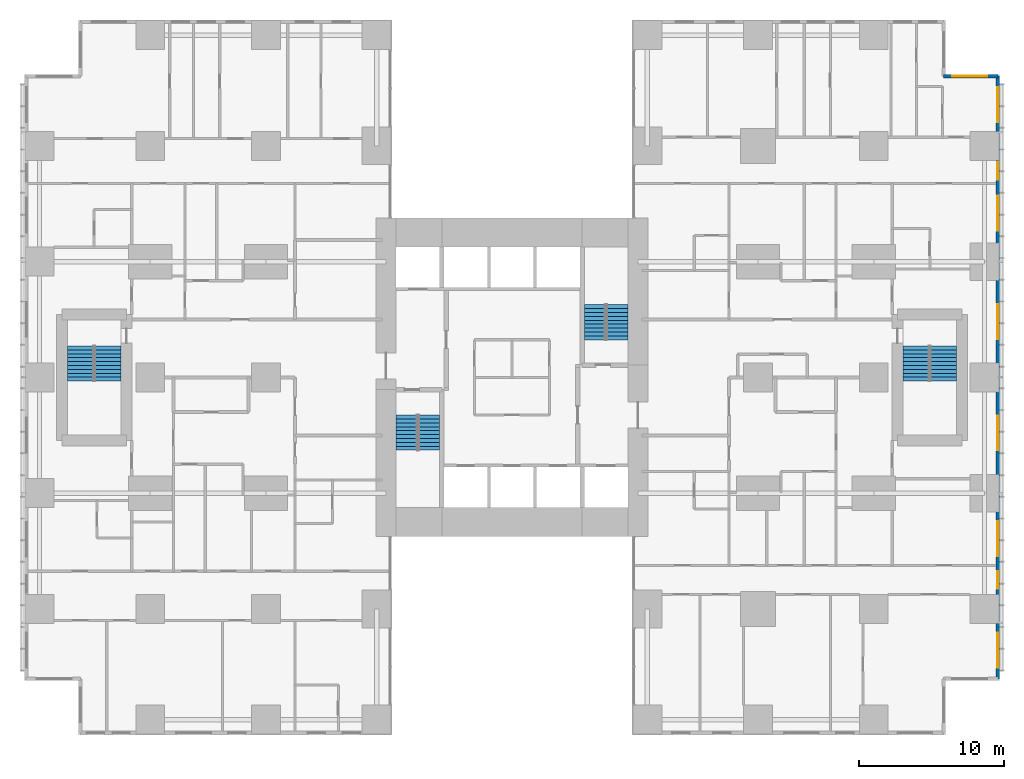
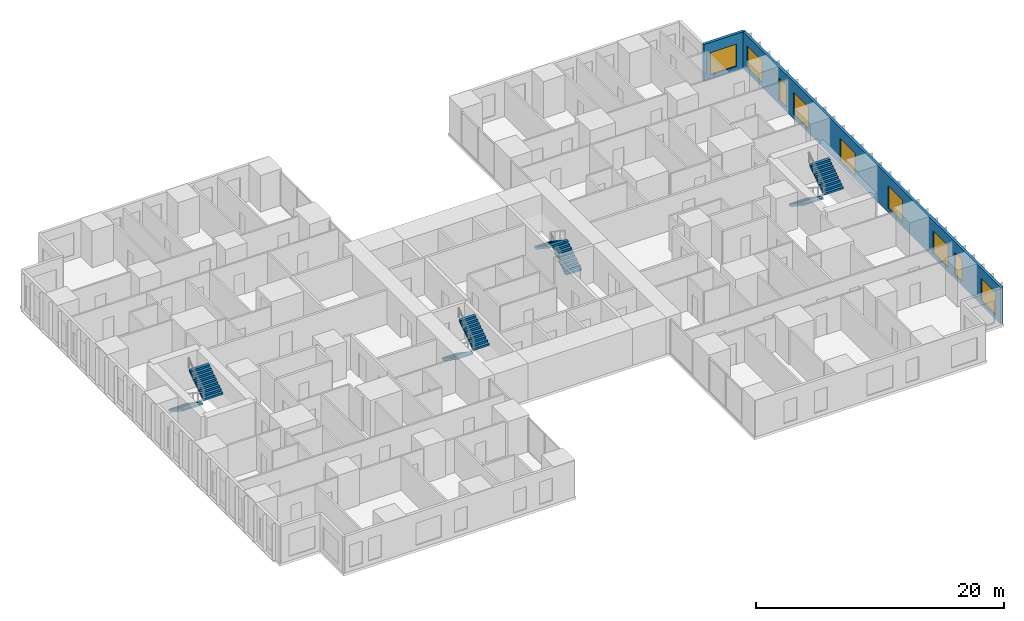
# One storey, part 19 of 20: 9 windows, 8 stair flights, 2 walls, 9 openings, 4 elements without a shape of their own.
"""IFC4 building model written with IfcOpenShell, lengths in metres."""

from ifc_helpers import new_model, si_unit, direction, frame, frame_2d, origin, place, context, subcontext, project, spatial, polyline, rectangle, outline, extrude, material, layer, layer_set, type_object, element, fill, aggregate, save


model = new_model("IFC4")

# Units and contexts
model_context = context("Model", 3, precision=1e-05, world=origin(), true_north=direction((0.0, 1.0)))
body_context = subcontext(model_context, "Body", "Model", "MODEL_VIEW")
ifc_project = project(units=[si_unit("LENGTHUNIT", "METRE"), si_unit("AREAUNIT", "SQUARE_METRE"), si_unit("VOLUMEUNIT", "CUBIC_METRE"), si_unit("PLANEANGLEUNIT", "RADIAN"), si_unit("MASSUNIT", "GRAM", prefix="KILO")], contexts=[model_context])

# Site, building, storey
site_placement = place(None, origin())
site = spatial("IfcSite", under=ifc_project, at=site_placement, CompositionType="ELEMENT")
building_placement = place(site_placement, origin())
building = spatial("IfcBuilding", under=site, at=building_placement, Name="Cleftline Residences", CompositionType="ELEMENT")
storey_placement = place(building_placement, frame((0.0, 0.0, 164.60009765625)))
storey = spatial("IfcBuildingStorey", under=building, at=storey_placement, Name="L43", CompositionType="ELEMENT", Elevation=164.60009765625)

# Wall, openings, windows
ifc_material_1 = material(Name="Rendered reinforced concrete blockwork", Category="masonry")
ifc_layer = layer(ifc_material_1, 0.25)
ifc_layer_set = layer_set([ifc_layer], Name="EXTERNAL WALL 250")
wall_type = type_object("IfcWallType", Name="EXTERNAL WALL 250", PredefinedType="SOLIDWALL", material=ifc_layer_set)
wall_1_placement = place(storey_placement, frame((66.574951171875, 3.175048828125, 0.0), z_axis=(0.0, 0.0, 1.0), x_axis=(0.0, 1.0, 0.0)))
wall_1 = element("IfcWall", 1, at=wall_1_placement, inside=storey, type_object=wall_type, Name="External wall", PredefinedType="SOLIDWALL", context=body_context, shape_type="SweptSolid", body=[
    extrude(rectangle(XDim=41.64990234375, YDim=0.25, at=frame_2d((20.824951171875, 0.0))), origin(), (0.0, 0.0, 1.0), 3.599853515625),
])
opening_1_placement = place(wall_1_placement, frame((0.77490234375, 0.0, 0.39990234375)))
opening_1 = element("IfcOpeningElement", 2, at=opening_1_placement, cuts=wall_1, Name="Opening W12", PredefinedType="OPENING", context=body_context, shape_type="SweptSolid", body=[
    extrude(rectangle(XDim=2.39990234375, YDim=2.199951171875, at=frame_2d((1.199951171875, 1.10009765625))), frame((0.0, 0.135009765625, 0.0), z_axis=(0.0, -1.0, 0.0), x_axis=(1.0, 0.0, 0.0)), (0.0, 0.0, 1.0), 0.27001953125),
])
opening_2_placement = place(wall_1_placement, frame((6.22509765625, 0.0, 0.39990234375)))
opening_2 = element("IfcOpeningElement", 3, at=opening_2_placement, cuts=wall_1, Name="Opening W11", PredefinedType="OPENING", context=body_context, shape_type="SweptSolid", body=[
    extrude(rectangle(XDim=1.199951171875, YDim=2.199951171875, at=frame_2d((0.60009765625, 1.10009765625))), frame((0.0, 0.135009765625, 0.0), z_axis=(0.0, -1.0, 0.0), x_axis=(1.0, 0.0, 0.0)), (0.0, 0.0, 1.0), 0.27001953125),
])
opening_3_placement = place(wall_1_placement, frame((8.47509765625, 0.0, 0.39990234375)))
opening_3 = element("IfcOpeningElement", 4, at=opening_3_placement, cuts=wall_1, Name="Opening W12", PredefinedType="OPENING", context=body_context, shape_type="SweptSolid", body=[
    extrude(rectangle(XDim=2.39990234375, YDim=2.199951171875, at=frame_2d((1.199951171875, 1.10009765625))), frame((0.0, 0.135009765625, 0.0), z_axis=(0.0, -1.0, 0.0), x_axis=(1.0, 0.0, 0.0)), (0.0, 0.0, 1.0), 0.27001953125),
])
opening_4_placement = place(wall_1_placement, frame((15.77490234375, 0.0, 0.39990234375)))
opening_4 = element("IfcOpeningElement", 5, at=opening_4_placement, cuts=wall_1, Name="Opening W12", PredefinedType="OPENING", context=body_context, shape_type="SweptSolid", body=[
    extrude(rectangle(XDim=2.39990234375, YDim=2.199951171875, at=frame_2d((1.199951171875, 1.10009765625))), frame((0.0, 0.135009765625, 0.0), z_axis=(0.0, -1.0, 0.0), x_axis=(1.0, 0.0, 0.0)), (0.0, 0.0, 1.0), 0.27001953125),
])
opening_5_placement = place(wall_1_placement, frame((23.47509765625, 0.0, 0.39990234375)))
opening_5 = element("IfcOpeningElement", 6, at=opening_5_placement, cuts=wall_1, Name="Opening W12", PredefinedType="OPENING", context=body_context, shape_type="SweptSolid", body=[
    extrude(rectangle(XDim=2.39990234375, YDim=2.199951171875, at=frame_2d((1.199951171875, 1.10009765625))), frame((0.0, 0.135009765625, 0.0), z_axis=(0.0, -1.0, 0.0), x_axis=(1.0, 0.0, 0.0)), (0.0, 0.0, 1.0), 0.27001953125),
])
opening_6_placement = place(wall_1_placement, frame((30.97509765625, 0.0, 0.39990234375)))
opening_6 = element("IfcOpeningElement", 7, at=opening_6_placement, cuts=wall_1, Name="Opening W12", PredefinedType="OPENING", context=body_context, shape_type="SweptSolid", body=[
    extrude(rectangle(XDim=2.39990234375, YDim=2.199951171875, at=frame_2d((1.199951171875, 1.10009765625))), frame((0.0, 0.135009765625, 0.0), z_axis=(0.0, -1.0, 0.0), x_axis=(1.0, 0.0, 0.0)), (0.0, 0.0, 1.0), 0.27001953125),
])
opening_7_placement = place(wall_1_placement, frame((34.5, 0.0, 0.39990234375)))
opening_7 = element("IfcOpeningElement", 8, at=opening_7_placement, cuts=wall_1, Name="Opening W11", PredefinedType="OPENING", context=body_context, shape_type="SweptSolid", body=[
    extrude(rectangle(XDim=1.199951171875, YDim=2.199951171875, at=frame_2d((0.60009765625, 1.10009765625))), frame((0.0, 0.135009765625, 0.0), z_axis=(0.0, -1.0, 0.0), x_axis=(1.0, 0.0, 0.0)), (0.0, 0.0, 1.0), 0.27001953125),
])
opening_8_placement = place(wall_1_placement, frame((38.47509765625, 0.0, 0.39990234375)))
opening_8 = element("IfcOpeningElement", 9, at=opening_8_placement, cuts=wall_1, Name="Opening W12", PredefinedType="OPENING", context=body_context, shape_type="SweptSolid", body=[
    extrude(rectangle(XDim=2.39990234375, YDim=2.199951171875, at=frame_2d((1.199951171875, 1.10009765625))), frame((0.0, 0.135009765625, 0.0), z_axis=(0.0, -1.0, 0.0), x_axis=(1.0, 0.0, 0.0)), (0.0, 0.0, 1.0), 0.27001953125),
])
ifc_material_2 = material(Name="Aluminium frame, clear double glazing", Category="aluminium")
window_type_1 = type_object("IfcWindowType", Name="WINDOW 1200X2200", PartitioningType="DOUBLE_PANEL_VERTICAL", PredefinedType="WINDOW", material=ifc_material_2)
window_1_placement = place(opening_2_placement, origin())
window_1 = element("IfcWindow", 10, at=window_1_placement, inside=storey, type_object=window_type_1, Name="Window", OverallHeight=2.199951171875, OverallWidth=1.199951171875, PartitioningType="SINGLE_PANEL", PredefinedType="WINDOW", context=body_context, shape_type="SweptSolid", body=[
    extrude(rectangle(XDim=1.199951171875, YDim=2.199951171875, at=frame_2d((0.60009765625, 1.10009765625))), frame((0.0, 0.030029296875, 0.0), z_axis=(0.0, -1.0, 0.0), x_axis=(1.0, 0.0, 0.0)), (0.0, 0.0, 1.0), 0.06005859375),
])
fill(opening_2, window_1)
window_2_placement = place(opening_7_placement, origin())
window_2 = element("IfcWindow", 11, at=window_2_placement, inside=storey, type_object=window_type_1, Name="Window", OverallHeight=2.199951171875, OverallWidth=1.199951171875, PartitioningType="SINGLE_PANEL", PredefinedType="WINDOW", context=body_context, shape_type="SweptSolid", body=[
    extrude(rectangle(XDim=1.199951171875, YDim=2.199951171875, at=frame_2d((0.60009765625, 1.10009765625))), frame((0.0, 0.030029296875, 0.0), z_axis=(0.0, -1.0, 0.0), x_axis=(1.0, 0.0, 0.0)), (0.0, 0.0, 1.0), 0.06005859375),
])
fill(opening_7, window_2)
ifc_material_3 = material(Name="Aluminium frame, clear double glazing", Category="aluminium")
window_type_2 = type_object("IfcWindowType", Name="WINDOW 2400X2200", PartitioningType="DOUBLE_PANEL_VERTICAL", PredefinedType="WINDOW", material=ifc_material_3)
window_3_placement = place(opening_1_placement, origin())
window_3 = element("IfcWindow", 12, at=window_3_placement, inside=storey, type_object=window_type_2, Name="Window", OverallHeight=2.199951171875, OverallWidth=2.39990234375, PartitioningType="SINGLE_PANEL", PredefinedType="WINDOW", context=body_context, shape_type="SweptSolid", body=[
    extrude(rectangle(XDim=2.39990234375, YDim=2.199951171875, at=frame_2d((1.199951171875, 1.10009765625))), frame((0.0, 0.030029296875, 0.0), z_axis=(0.0, -1.0, 0.0), x_axis=(1.0, 0.0, 0.0)), (0.0, 0.0, 1.0), 0.06005859375),
])
fill(opening_1, window_3)
window_4_placement = place(opening_3_placement, origin())
window_4 = element("IfcWindow", 13, at=window_4_placement, inside=storey, type_object=window_type_2, Name="Window", OverallHeight=2.199951171875, OverallWidth=2.39990234375, PartitioningType="SINGLE_PANEL", PredefinedType="WINDOW", context=body_context, shape_type="SweptSolid", body=[
    extrude(rectangle(XDim=2.39990234375, YDim=2.199951171875, at=frame_2d((1.199951171875, 1.10009765625))), frame((0.0, 0.030029296875, 0.0), z_axis=(0.0, -1.0, 0.0), x_axis=(1.0, 0.0, 0.0)), (0.0, 0.0, 1.0), 0.06005859375),
])
fill(opening_3, window_4)
window_5_placement = place(opening_4_placement, origin())
window_5 = element("IfcWindow", 14, at=window_5_placement, inside=storey, type_object=window_type_2, Name="Window", OverallHeight=2.199951171875, OverallWidth=2.39990234375, PartitioningType="SINGLE_PANEL", PredefinedType="WINDOW", context=body_context, shape_type="SweptSolid", body=[
    extrude(rectangle(XDim=2.39990234375, YDim=2.199951171875, at=frame_2d((1.199951171875, 1.10009765625))), frame((0.0, 0.030029296875, 0.0), z_axis=(0.0, -1.0, 0.0), x_axis=(1.0, 0.0, 0.0)), (0.0, 0.0, 1.0), 0.06005859375),
])
fill(opening_4, window_5)
window_6_placement = place(opening_5_placement, origin())
window_6 = element("IfcWindow", 15, at=window_6_placement, inside=storey, type_object=window_type_2, Name="Window", OverallHeight=2.199951171875, OverallWidth=2.39990234375, PartitioningType="SINGLE_PANEL", PredefinedType="WINDOW", context=body_context, shape_type="SweptSolid", body=[
    extrude(rectangle(XDim=2.39990234375, YDim=2.199951171875, at=frame_2d((1.199951171875, 1.10009765625))), frame((0.0, 0.030029296875, 0.0), z_axis=(0.0, -1.0, 0.0), x_axis=(1.0, 0.0, 0.0)), (0.0, 0.0, 1.0), 0.06005859375),
])
fill(opening_5, window_6)
window_7_placement = place(opening_6_placement, origin())
window_7 = element("IfcWindow", 16, at=window_7_placement, inside=storey, type_object=window_type_2, Name="Window", OverallHeight=2.199951171875, OverallWidth=2.39990234375, PartitioningType="SINGLE_PANEL", PredefinedType="WINDOW", context=body_context, shape_type="SweptSolid", body=[
    extrude(rectangle(XDim=2.39990234375, YDim=2.199951171875, at=frame_2d((1.199951171875, 1.10009765625))), frame((0.0, 0.030029296875, 0.0), z_axis=(0.0, -1.0, 0.0), x_axis=(1.0, 0.0, 0.0)), (0.0, 0.0, 1.0), 0.06005859375),
])
fill(opening_6, window_7)
window_8_placement = place(opening_8_placement, origin())
window_8 = element("IfcWindow", 17, at=window_8_placement, inside=storey, type_object=window_type_2, Name="Window", OverallHeight=2.199951171875, OverallWidth=2.39990234375, PartitioningType="SINGLE_PANEL", PredefinedType="WINDOW", context=body_context, shape_type="SweptSolid", body=[
    extrude(rectangle(XDim=2.39990234375, YDim=2.199951171875, at=frame_2d((1.199951171875, 1.10009765625))), frame((0.0, 0.030029296875, 0.0), z_axis=(0.0, -1.0, 0.0), x_axis=(1.0, 0.0, 0.0)), (0.0, 0.0, 1.0), 0.06005859375),
])
fill(opening_8, window_8)

# Wall, opening, window
wall_2_placement = place(storey_placement, frame((66.574951171875, 44.824951171875, 0.0), z_axis=(0.0, 0.0, 1.0), x_axis=(-1.0, 0.0, 0.0)))
wall_2 = element("IfcWall", 18, at=wall_2_placement, inside=storey, type_object=wall_type, Name="External wall", PredefinedType="SOLIDWALL", context=body_context, shape_type="SweptSolid", body=[
    extrude(rectangle(XDim=3.75, YDim=0.25, at=frame_2d((1.875, 0.0))), origin(), (0.0, 0.0, 1.0), 3.599853515625),
])
opening_9_placement = place(wall_2_placement, frame((0.737548828125, 0.0, 0.39990234375)))
opening_9 = element("IfcOpeningElement", 19, at=opening_9_placement, cuts=wall_2, Name="Opening W12", PredefinedType="OPENING", context=body_context, shape_type="SweptSolid", body=[
    extrude(rectangle(XDim=2.39990234375, YDim=2.199951171875, at=frame_2d((1.199951171875, 1.10009765625))), frame((0.0, 0.135009765625, 0.0), z_axis=(0.0, -1.0, 0.0), x_axis=(1.0, 0.0, 0.0)), (0.0, 0.0, 1.0), 0.27001953125),
])
window_9_placement = place(opening_9_placement, origin())
window_9 = element("IfcWindow", 20, at=window_9_placement, inside=storey, type_object=window_type_2, Name="Window", OverallHeight=2.199951171875, OverallWidth=2.39990234375, PartitioningType="SINGLE_PANEL", PredefinedType="WINDOW", context=body_context, shape_type="SweptSolid", body=[
    extrude(rectangle(XDim=2.39990234375, YDim=2.199951171875, at=frame_2d((1.199951171875, 1.10009765625))), frame((0.0, 0.030029296875, 0.0), z_axis=(0.0, -1.0, 0.0), x_axis=(1.0, 0.0, 0.0)), (0.0, 0.0, 1.0), 0.06005859375),
])
fill(opening_9, window_9)

# Stair, stair flights
ifc_material_4 = material(Name="Concrete B45, stone treads", Category="masonry")
stair_type_1 = type_object("IfcStairType", Name="STAIR A 1450 WIDE 180 RISER", PredefinedType="HALF_TURN_STAIR", material=ifc_material_4)
stair_1_placement = place(storey_placement, origin())
stair_1 = element("IfcStair", 21, at=stair_1_placement, inside=storey, type_object=stair_type_1, Name="Stair A L43", PredefinedType="HALF_TURN_STAIR")
ifc_material_5 = material(Name="Concrete B45", Category="concrete")
stair_flight_type_1 = type_object("IfcStairFlightType", Name="STAIR A FLIGHT 1450X180", PredefinedType="STRAIGHT", material=ifc_material_5)
stair_flight_1_placement = place(storey_placement, frame((25.72509765625, 21.39990234375, 0.0), z_axis=(0.0, 0.0, 1.0), x_axis=(0.0, -1.0, 0.0)))
stair_flight_1 = element("IfcStairFlight", 22, at=stair_flight_1_placement, type_object=stair_flight_type_1, Name="ST-A flight 1", NumberOfRisers=10, NumberOfTreads=9, PredefinedType="STRAIGHT", RiserHeight=0.18, TreadLength=0.27, context=body_context, shape_type="SweptSolid", body=[
    extrude(outline(polyline([(0.0, 0.0), (0.0, 0.013916015625), (0.0, 0.027587890625), (0.0, 0.04150390625), (0.0, 0.055419921875), (0.0, 0.0693359375), (0.0, 0.0830078125), (0.0, 0.096923828125), (0.0, 0.11083984375), (0.0, 0.12451171875), (0.0, 0.138427734375), (0.0, 0.15234375), (0.0, 0.166259765625), (0.0, 0.179931640625), (0.27001953125, 0.179931640625), (0.27001953125, 0.360107421875), (0.5400390625, 0.360107421875), (0.5400390625, 0.5400390625), (0.81005859375, 0.5400390625), (0.81005859375, 0.719970703125), (1.080078125, 0.719970703125), (1.080078125, 0.89990234375), (1.35009765625, 0.89990234375), (1.35009765625, 1.080078125), (1.6201171875, 1.080078125), (1.6201171875, 1.260009765625), (1.889892578125, 1.260009765625), (1.889892578125, 1.43994140625), (2.159912109375, 1.43994140625), (2.159912109375, 1.6201171875), (2.429931640625, 1.6201171875), (2.429931640625, 1.800048828125), (2.429931640625, 1.772216796875), (2.429931640625, 1.74462890625), (2.429931640625, 1.716796875), (2.429931640625, 1.689208984375), (2.429931640625, 1.661376953125), (2.429931640625, 1.6337890625), (2.429931640625, 1.60595703125), (2.429931640625, 1.578369140625), (2.429931640625, 1.550537109375), (2.429931640625, 1.52294921875), (2.429931640625, 1.495361328125), (2.429931640625, 1.467529296875), (2.429931640625, 1.43994140625), (0.270263671875, 0.0), (0.0, 0.0)])), frame((0.0, 0.72509765625, 0.0), z_axis=(0.0, -1.0, 0.0), x_axis=(1.0, 0.0, 0.0)), (0.0, 0.0, 1.0), 1.449951171875),
])
stair_flight_2_placement = place(storey_placement, frame((27.27490234375, 18.969970703125, 1.7998046875), z_axis=(0.0, 0.0, 1.0), x_axis=(0.0, 1.0, 0.0)))
stair_flight_2 = element("IfcStairFlight", 23, at=stair_flight_2_placement, type_object=stair_flight_type_1, Name="ST-A flight 2", NumberOfRisers=10, NumberOfTreads=9, PredefinedType="STRAIGHT", RiserHeight=0.18, TreadLength=0.27, context=body_context, shape_type="SweptSolid", body=[
    extrude(outline(polyline([(0.0, 0.0), (0.0, 0.013916015625), (0.0, 0.027587890625), (0.0, 0.04150390625), (0.0, 0.055419921875), (0.0, 0.0693359375), (0.0, 0.0830078125), (0.0, 0.096923828125), (0.0, 0.11083984375), (0.0, 0.12451171875), (0.0, 0.138427734375), (0.0, 0.15234375), (0.0, 0.166259765625), (0.0, 0.179931640625), (0.27001953125, 0.179931640625), (0.27001953125, 0.360107421875), (0.5400390625, 0.360107421875), (0.5400390625, 0.5400390625), (0.81005859375, 0.5400390625), (0.81005859375, 0.719970703125), (1.080078125, 0.719970703125), (1.080078125, 0.89990234375), (1.35009765625, 0.89990234375), (1.35009765625, 1.080078125), (1.6201171875, 1.080078125), (1.6201171875, 1.260009765625), (1.889892578125, 1.260009765625), (1.889892578125, 1.43994140625), (2.159912109375, 1.43994140625), (2.159912109375, 1.6201171875), (2.429931640625, 1.6201171875), (2.429931640625, 1.800048828125), (2.429931640625, 1.772216796875), (2.429931640625, 1.74462890625), (2.429931640625, 1.716796875), (2.429931640625, 1.689208984375), (2.429931640625, 1.661376953125), (2.429931640625, 1.6337890625), (2.429931640625, 1.60595703125), (2.429931640625, 1.578369140625), (2.429931640625, 1.550537109375), (2.429931640625, 1.52294921875), (2.429931640625, 1.495361328125), (2.429931640625, 1.467529296875), (2.429931640625, 1.43994140625), (0.270263671875, 0.0), (0.0, 0.0)])), frame((0.0, 0.72509765625, 0.0), z_axis=(0.0, -1.0, 0.0), x_axis=(1.0, 0.0, 0.0)), (0.0, 0.0, 1.0), 1.449951171875),
])
aggregate(stair_1, [stair_flight_1, stair_flight_2])

ifc_material_6 = material(Name="Concrete B45, stone treads", Category="masonry")
stair_type_2 = type_object("IfcStairType", Name="STAIR B 1450 WIDE 180 RISER", PredefinedType="HALF_TURN_STAIR", material=ifc_material_6)
stair_2_placement = place(storey_placement, origin())
stair_2 = element("IfcStair", 24, at=stair_2_placement, inside=storey, type_object=stair_type_2, Name="Stair B L43", PredefinedType="HALF_TURN_STAIR")
ifc_material_7 = material(Name="Concrete B45", Category="concrete")
stair_flight_type_2 = type_object("IfcStairFlightType", Name="STAIR B FLIGHT 1450X180", PredefinedType="STRAIGHT", material=ifc_material_7)
stair_flight_3_placement = place(storey_placement, frame((40.27490234375, 26.60009765625, 0.0), z_axis=(0.0, 0.0, 1.0), x_axis=(0.0, 1.0, 0.0)))
stair_flight_3 = element("IfcStairFlight", 25, at=stair_flight_3_placement, type_object=stair_flight_type_2, Name="ST-B flight 1", NumberOfRisers=10, NumberOfTreads=9, PredefinedType="STRAIGHT", RiserHeight=0.18, TreadLength=0.27, context=body_context, shape_type="SweptSolid", body=[
    extrude(outline(polyline([(0.0, 0.0), (0.0, 0.013916015625), (0.0, 0.027587890625), (0.0, 0.04150390625), (0.0, 0.055419921875), (0.0, 0.0693359375), (0.0, 0.0830078125), (0.0, 0.096923828125), (0.0, 0.11083984375), (0.0, 0.12451171875), (0.0, 0.138427734375), (0.0, 0.15234375), (0.0, 0.166259765625), (0.0, 0.179931640625), (0.27001953125, 0.179931640625), (0.27001953125, 0.360107421875), (0.5400390625, 0.360107421875), (0.5400390625, 0.5400390625), (0.81005859375, 0.5400390625), (0.81005859375, 0.719970703125), (1.080078125, 0.719970703125), (1.080078125, 0.89990234375), (1.35009765625, 0.89990234375), (1.35009765625, 1.080078125), (1.6201171875, 1.080078125), (1.6201171875, 1.260009765625), (1.889892578125, 1.260009765625), (1.889892578125, 1.43994140625), (2.159912109375, 1.43994140625), (2.159912109375, 1.6201171875), (2.429931640625, 1.6201171875), (2.429931640625, 1.800048828125), (2.429931640625, 1.772216796875), (2.429931640625, 1.74462890625), (2.429931640625, 1.716796875), (2.429931640625, 1.689208984375), (2.429931640625, 1.661376953125), (2.429931640625, 1.6337890625), (2.429931640625, 1.60595703125), (2.429931640625, 1.578369140625), (2.429931640625, 1.550537109375), (2.429931640625, 1.52294921875), (2.429931640625, 1.495361328125), (2.429931640625, 1.467529296875), (2.429931640625, 1.43994140625), (0.270263671875, 0.0), (0.0, 0.0)])), frame((0.0, 0.72509765625, 0.0), z_axis=(0.0, -1.0, 0.0), x_axis=(1.0, 0.0, 0.0)), (0.0, 0.0, 1.0), 1.449951171875),
])
stair_flight_4_placement = place(storey_placement, frame((38.72509765625, 29.030029296875, 1.7998046875), z_axis=(0.0, 0.0, 1.0), x_axis=(0.0, -1.0, 0.0)))
stair_flight_4 = element("IfcStairFlight", 26, at=stair_flight_4_placement, type_object=stair_flight_type_2, Name="ST-B flight 2", NumberOfRisers=10, NumberOfTreads=9, PredefinedType="STRAIGHT", RiserHeight=0.18, TreadLength=0.27, context=body_context, shape_type="SweptSolid", body=[
    extrude(outline(polyline([(0.0, 0.0), (0.0, 0.013916015625), (0.0, 0.027587890625), (0.0, 0.04150390625), (0.0, 0.055419921875), (0.0, 0.0693359375), (0.0, 0.0830078125), (0.0, 0.096923828125), (0.0, 0.11083984375), (0.0, 0.12451171875), (0.0, 0.138427734375), (0.0, 0.15234375), (0.0, 0.166259765625), (0.0, 0.179931640625), (0.27001953125, 0.179931640625), (0.27001953125, 0.360107421875), (0.5400390625, 0.360107421875), (0.5400390625, 0.5400390625), (0.81005859375, 0.5400390625), (0.81005859375, 0.719970703125), (1.080078125, 0.719970703125), (1.080078125, 0.89990234375), (1.35009765625, 0.89990234375), (1.35009765625, 1.080078125), (1.6201171875, 1.080078125), (1.6201171875, 1.260009765625), (1.889892578125, 1.260009765625), (1.889892578125, 1.43994140625), (2.159912109375, 1.43994140625), (2.159912109375, 1.6201171875), (2.429931640625, 1.6201171875), (2.429931640625, 1.800048828125), (2.429931640625, 1.772216796875), (2.429931640625, 1.74462890625), (2.429931640625, 1.716796875), (2.429931640625, 1.689208984375), (2.429931640625, 1.661376953125), (2.429931640625, 1.6337890625), (2.429931640625, 1.60595703125), (2.429931640625, 1.578369140625), (2.429931640625, 1.550537109375), (2.429931640625, 1.52294921875), (2.429931640625, 1.495361328125), (2.429931640625, 1.467529296875), (2.429931640625, 1.43994140625), (0.270263671875, 0.0), (0.0, 0.0)])), frame((0.0, 0.72509765625, 0.0), z_axis=(0.0, -1.0, 0.0), x_axis=(1.0, 0.0, 0.0)), (0.0, 0.0, 1.0), 1.449951171875),
])
aggregate(stair_2, [stair_flight_3, stair_flight_4])

ifc_material_8 = material(Name="Concrete B45, stone treads", Category="masonry")
stair_type_3 = type_object("IfcStairType", Name="STAIR E 1800 WIDE 180 RISER", PredefinedType="HALF_TURN_STAIR", material=ifc_material_8)
stair_3_placement = place(storey_placement, origin())
stair_3 = element("IfcStair", 27, at=stair_3_placement, inside=storey, type_object=stair_type_3, Name="Stair E L43", PredefinedType="HALF_TURN_STAIR")
ifc_material_9 = material(Name="Concrete B45", Category="concrete")
stair_flight_type_3 = type_object("IfcStairFlightType", Name="STAIR E FLIGHT 1800X180", PredefinedType="STRAIGHT", material=ifc_material_9)
stair_flight_5_placement = place(storey_placement, frame((60.925048828125, 26.175048828125, 0.0), z_axis=(0.0, 0.0, 1.0), x_axis=(0.0, -1.0, 0.0)))
stair_flight_5 = element("IfcStairFlight", 28, at=stair_flight_5_placement, type_object=stair_flight_type_3, Name="ST-E flight 1", NumberOfRisers=10, NumberOfTreads=9, PredefinedType="STRAIGHT", RiserHeight=0.18, TreadLength=0.27, context=body_context, shape_type="SweptSolid", body=[
    extrude(outline(polyline([(0.0, 0.0), (0.0, 0.013916015625), (0.0, 0.027587890625), (0.0, 0.04150390625), (0.0, 0.055419921875), (0.0, 0.0693359375), (0.0, 0.0830078125), (0.0, 0.096923828125), (0.0, 0.11083984375), (0.0, 0.12451171875), (0.0, 0.138427734375), (0.0, 0.15234375), (0.0, 0.166259765625), (0.0, 0.179931640625), (0.27001953125, 0.179931640625), (0.27001953125, 0.360107421875), (0.5400390625, 0.360107421875), (0.5400390625, 0.5400390625), (0.81005859375, 0.5400390625), (0.81005859375, 0.719970703125), (1.080078125, 0.719970703125), (1.080078125, 0.89990234375), (1.35009765625, 0.89990234375), (1.35009765625, 1.080078125), (1.6201171875, 1.080078125), (1.6201171875, 1.260009765625), (1.889892578125, 1.260009765625), (1.889892578125, 1.43994140625), (2.159912109375, 1.43994140625), (2.159912109375, 1.6201171875), (2.429931640625, 1.6201171875), (2.429931640625, 1.800048828125), (2.429931640625, 1.772216796875), (2.429931640625, 1.74462890625), (2.429931640625, 1.716796875), (2.429931640625, 1.689208984375), (2.429931640625, 1.661376953125), (2.429931640625, 1.6337890625), (2.429931640625, 1.60595703125), (2.429931640625, 1.578369140625), (2.429931640625, 1.550537109375), (2.429931640625, 1.52294921875), (2.429931640625, 1.495361328125), (2.429931640625, 1.467529296875), (2.429931640625, 1.43994140625), (0.270263671875, 0.0), (0.0, 0.0)])), frame((0.0, 0.89990234375, 0.0), z_axis=(0.0, -1.0, 0.0), x_axis=(1.0, 0.0, 0.0)), (0.0, 0.0, 1.0), 1.800048828125),
])
stair_flight_6_placement = place(storey_placement, frame((62.824951171875, 23.7451171875, 1.7998046875), z_axis=(0.0, 0.0, 1.0), x_axis=(0.0, 1.0, 0.0)))
stair_flight_6 = element("IfcStairFlight", 29, at=stair_flight_6_placement, type_object=stair_flight_type_3, Name="ST-E flight 2", NumberOfRisers=10, NumberOfTreads=9, PredefinedType="STRAIGHT", RiserHeight=0.18, TreadLength=0.27, context=body_context, shape_type="SweptSolid", body=[
    extrude(outline(polyline([(0.0, 0.0), (0.0, 0.013916015625), (0.0, 0.027587890625), (0.0, 0.04150390625), (0.0, 0.055419921875), (0.0, 0.0693359375), (0.0, 0.0830078125), (0.0, 0.096923828125), (0.0, 0.11083984375), (0.0, 0.12451171875), (0.0, 0.138427734375), (0.0, 0.15234375), (0.0, 0.166259765625), (0.0, 0.179931640625), (0.27001953125, 0.179931640625), (0.27001953125, 0.360107421875), (0.5400390625, 0.360107421875), (0.5400390625, 0.5400390625), (0.81005859375, 0.5400390625), (0.81005859375, 0.719970703125), (1.080078125, 0.719970703125), (1.080078125, 0.89990234375), (1.35009765625, 0.89990234375), (1.35009765625, 1.080078125), (1.6201171875, 1.080078125), (1.6201171875, 1.260009765625), (1.889892578125, 1.260009765625), (1.889892578125, 1.43994140625), (2.159912109375, 1.43994140625), (2.159912109375, 1.6201171875), (2.429931640625, 1.6201171875), (2.429931640625, 1.800048828125), (2.429931640625, 1.772216796875), (2.429931640625, 1.74462890625), (2.429931640625, 1.716796875), (2.429931640625, 1.689208984375), (2.429931640625, 1.661376953125), (2.429931640625, 1.6337890625), (2.429931640625, 1.60595703125), (2.429931640625, 1.578369140625), (2.429931640625, 1.550537109375), (2.429931640625, 1.52294921875), (2.429931640625, 1.495361328125), (2.429931640625, 1.467529296875), (2.429931640625, 1.43994140625), (0.270263671875, 0.0), (0.0, 0.0)])), frame((0.0, 0.89990234375, 0.0), z_axis=(0.0, -1.0, 0.0), x_axis=(1.0, 0.0, 0.0)), (0.0, 0.0, 1.0), 1.800048828125),
])
aggregate(stair_3, [stair_flight_5, stair_flight_6])

ifc_material_10 = material(Name="Concrete B45, stone treads", Category="masonry")
stair_type_4 = type_object("IfcStairType", Name="STAIR W 1800 WIDE 180 RISER", PredefinedType="HALF_TURN_STAIR", material=ifc_material_10)
stair_4_placement = place(storey_placement, origin())
stair_4 = element("IfcStair", 30, at=stair_4_placement, inside=storey, type_object=stair_type_4, Name="Stair W L43", PredefinedType="HALF_TURN_STAIR")
ifc_material_11 = material(Name="Concrete B45", Category="concrete")
stair_flight_type_4 = type_object("IfcStairFlightType", Name="STAIR W FLIGHT 1800X180", PredefinedType="STRAIGHT", material=ifc_material_11)
stair_flight_7_placement = place(storey_placement, frame((3.175048828125, 26.175048828125, 0.0), z_axis=(0.0, 0.0, 1.0), x_axis=(0.0, -1.0, 0.0)))
stair_flight_7 = element("IfcStairFlight", 31, at=stair_flight_7_placement, type_object=stair_flight_type_4, Name="ST-W flight 1", NumberOfRisers=10, NumberOfTreads=9, PredefinedType="STRAIGHT", RiserHeight=0.18, TreadLength=0.27, context=body_context, shape_type="SweptSolid", body=[
    extrude(outline(polyline([(0.0, 0.0), (0.0, 0.013916015625), (0.0, 0.027587890625), (0.0, 0.04150390625), (0.0, 0.055419921875), (0.0, 0.0693359375), (0.0, 0.0830078125), (0.0, 0.096923828125), (0.0, 0.11083984375), (0.0, 0.12451171875), (0.0, 0.138427734375), (0.0, 0.15234375), (0.0, 0.166259765625), (0.0, 0.179931640625), (0.27001953125, 0.179931640625), (0.27001953125, 0.360107421875), (0.5400390625, 0.360107421875), (0.5400390625, 0.5400390625), (0.81005859375, 0.5400390625), (0.81005859375, 0.719970703125), (1.080078125, 0.719970703125), (1.080078125, 0.89990234375), (1.35009765625, 0.89990234375), (1.35009765625, 1.080078125), (1.6201171875, 1.080078125), (1.6201171875, 1.260009765625), (1.889892578125, 1.260009765625), (1.889892578125, 1.43994140625), (2.159912109375, 1.43994140625), (2.159912109375, 1.6201171875), (2.429931640625, 1.6201171875), (2.429931640625, 1.800048828125), (2.429931640625, 1.772216796875), (2.429931640625, 1.74462890625), (2.429931640625, 1.716796875), (2.429931640625, 1.689208984375), (2.429931640625, 1.661376953125), (2.429931640625, 1.6337890625), (2.429931640625, 1.60595703125), (2.429931640625, 1.578369140625), (2.429931640625, 1.550537109375), (2.429931640625, 1.52294921875), (2.429931640625, 1.495361328125), (2.429931640625, 1.467529296875), (2.429931640625, 1.43994140625), (0.270263671875, 0.0), (0.0, 0.0)])), frame((0.0, 0.89990234375, 0.0), z_axis=(0.0, -1.0, 0.0), x_axis=(1.0, 0.0, 0.0)), (0.0, 0.0, 1.0), 1.800048828125),
])
stair_flight_8_placement = place(storey_placement, frame((5.074951171875, 23.7451171875, 1.7998046875), z_axis=(0.0, 0.0, 1.0), x_axis=(0.0, 1.0, 0.0)))
stair_flight_8 = element("IfcStairFlight", 32, at=stair_flight_8_placement, type_object=stair_flight_type_4, Name="ST-W flight 2", NumberOfRisers=10, NumberOfTreads=9, PredefinedType="STRAIGHT", RiserHeight=0.18, TreadLength=0.27, context=body_context, shape_type="SweptSolid", body=[
    extrude(outline(polyline([(0.0, 0.0), (0.0, 0.013916015625), (0.0, 0.027587890625), (0.0, 0.04150390625), (0.0, 0.055419921875), (0.0, 0.0693359375), (0.0, 0.0830078125), (0.0, 0.096923828125), (0.0, 0.11083984375), (0.0, 0.12451171875), (0.0, 0.138427734375), (0.0, 0.15234375), (0.0, 0.166259765625), (0.0, 0.179931640625), (0.27001953125, 0.179931640625), (0.27001953125, 0.360107421875), (0.5400390625, 0.360107421875), (0.5400390625, 0.5400390625), (0.81005859375, 0.5400390625), (0.81005859375, 0.719970703125), (1.080078125, 0.719970703125), (1.080078125, 0.89990234375), (1.35009765625, 0.89990234375), (1.35009765625, 1.080078125), (1.6201171875, 1.080078125), (1.6201171875, 1.260009765625), (1.889892578125, 1.260009765625), (1.889892578125, 1.43994140625), (2.159912109375, 1.43994140625), (2.159912109375, 1.6201171875), (2.429931640625, 1.6201171875), (2.429931640625, 1.800048828125), (2.429931640625, 1.772216796875), (2.429931640625, 1.74462890625), (2.429931640625, 1.716796875), (2.429931640625, 1.689208984375), (2.429931640625, 1.661376953125), (2.429931640625, 1.6337890625), (2.429931640625, 1.60595703125), (2.429931640625, 1.578369140625), (2.429931640625, 1.550537109375), (2.429931640625, 1.52294921875), (2.429931640625, 1.495361328125), (2.429931640625, 1.467529296875), (2.429931640625, 1.43994140625), (0.270263671875, 0.0), (0.0, 0.0)])), frame((0.0, 0.89990234375, 0.0), z_axis=(0.0, -1.0, 0.0), x_axis=(1.0, 0.0, 0.0)), (0.0, 0.0, 1.0), 1.800048828125),
])
aggregate(stair_4, [stair_flight_7, stair_flight_8])

save(model, "model.ifc")
